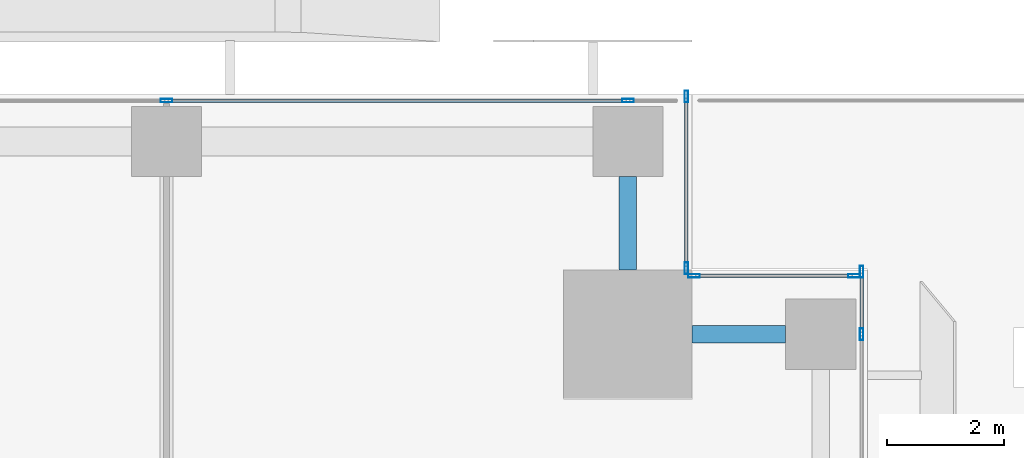
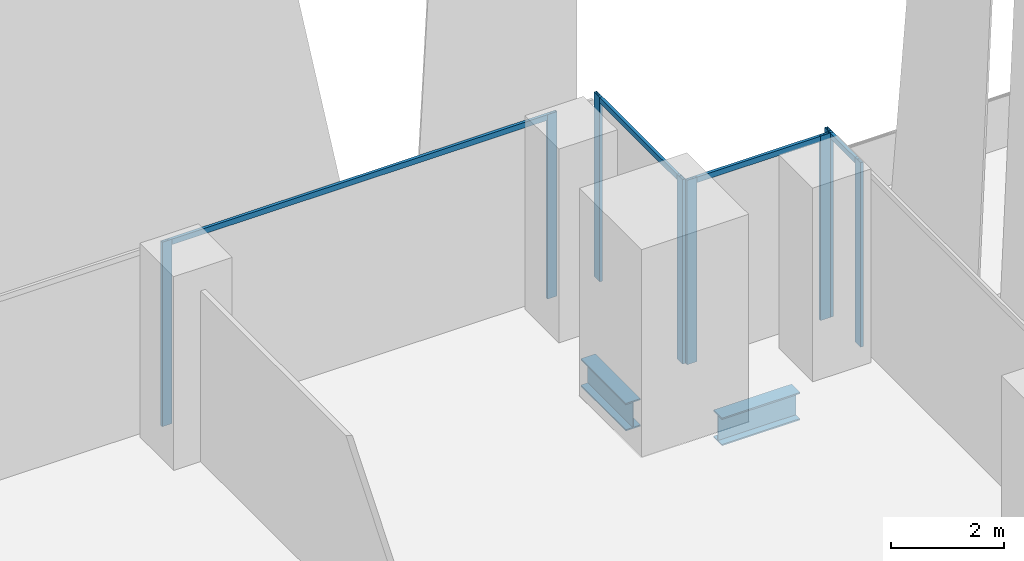
# One storey, part 23 of 46: 12 members, 2 beams, 4 elements without a shape of their own.
"""IFC4 building model written with IfcOpenShell, lengths in metres."""

from ifc_helpers import new_model, si_unit, direction, frame, origin, origin_2d, place, context, subcontext, project, spatial, hollow_rectangle, i_section, extrude, source, transform, mapped, material, material_profile, profile_set, type_object, element, aggregate, save


model = new_model("IFC4")

# Units and contexts
model_context = context("Model", 3, precision=1e-05, world=origin(), true_north=direction((0.0, 1.0)))
body_context = subcontext(model_context, "Body", "Model", "MODEL_VIEW")
ifc_project = project(units=[si_unit("LENGTHUNIT", "METRE"), si_unit("AREAUNIT", "SQUARE_METRE"), si_unit("VOLUMEUNIT", "CUBIC_METRE"), si_unit("PLANEANGLEUNIT", "RADIAN"), si_unit("MASSUNIT", "GRAM", prefix="KILO")], contexts=[model_context])

# Site, building, storey
site_placement = place(None, origin())
site = spatial("IfcSite", under=ifc_project, at=site_placement, CompositionType="ELEMENT")
building_placement = place(site_placement, origin())
building = spatial("IfcBuilding", under=site, at=building_placement, Name="Khomas Fold Tower", CompositionType="ELEMENT")
storey_placement = place(building_placement, frame((0.0, 0.0, 33.0)))
storey = spatial("IfcBuildingStorey", under=building, at=storey_placement, Name="L06", CompositionType="ELEMENT", Elevation=33.0)

# Beams
ifc_material_1 = material(Name="Steel S355", Category="steel")
ifc_material_profile_1 = material_profile(ifc_material_1, i_section(OverallWidth=0.300048828125, OverallDepth=0.60009765625, WebThickness=0.015380859375, FlangeThickness=0.030029296875, at=origin_2d()), Name="HE 600 B")
ifc_profile_set_1 = profile_set([ifc_material_profile_1], Name="Steel S355")
beam_type = type_object("IfcBeamType", Name="HE 600 B spandrel SB1", PredefinedType="SPANDREL", material=ifc_profile_set_1)
shared_shape_1 = source(origin(), body_context, "Body", "SweptSolid", [
    extrude(i_section(OverallWidth=0.300048828125, OverallDepth=0.60009765625, WebThickness=0.015380859375, FlangeThickness=0.030029296875, at=origin_2d()), origin(), (0.0, 0.0, 1.0), 1.60009765625),
])
for number, where, z_axis, x_axis, name in (
    (1, (51.0, 49.89990234375, -0.800048828125), (1.0, 0.0, 0.0), (0.0, 1.0, 0.0), "SB1"),
    (2, (49.89990234375, 51.0, -0.800048828125), (0.0, 1.0, 0.0), (-1.0, 0.0, 0.0), "SB1"),
):
    element("IfcBeam", number, at=place(storey_placement, frame(where, z_axis=z_axis, x_axis=x_axis)), inside=storey, type_object=beam_type, Name=name, PredefinedType="SPANDREL", context=body_context, shape_type="MappedRepresentation", body=[
        mapped(shared_shape_1, transform((0.0, 0.0, 0.0))),
    ])

# Curtain wall, members
ifc_material_2 = material(Name="Aluminium framed double glazing", Category="aluminium")
curtain_wall_type = type_object("IfcCurtainWallType", Name="SK-Unitised clear-glass wall, growing floors CW1", PredefinedType="NOTDEFINED", material=ifc_material_2)
curtain_wall_1_placement = place(storey_placement, origin())
curtain_wall_1 = element("IfcCurtainWall", 3, at=curtain_wall_1_placement, inside=storey, type_object=curtain_wall_type, Name="CW1 run L06 03-1", PredefinedType="NOTDEFINED")
ifc_material_3 = material(Name="Aluminium", Category="aluminium")
ifc_material_profile_2 = material_profile(ifc_material_3, hollow_rectangle(XDim=0.06005859375, YDim=0.199951171875, WallThickness=0.00390625, at=origin_2d()), Name="SK-Unitised clear-glass wall, growing floors mullion CW1-M")
ifc_profile_set_2 = profile_set([ifc_material_profile_2], Name="Aluminium")
member_type_1 = type_object("IfcMemberType", Name="SK-Unitised clear-glass wall, growing floors mullion CW1-M", PredefinedType="MULLION", material=ifc_profile_set_2)
shared_shape_2 = source(origin(), body_context, "Body", "SweptSolid", [
    extrude(hollow_rectangle(XDim=0.06005859375, YDim=0.199951171875, WallThickness=0.00390625, at=origin_2d()), origin(), (0.0, 0.0, 1.0), 4.0),
])
member_1_placement = place(storey_placement, frame((53.89990234375, 49.89990234375, 0.0), z_axis=(0.0, 0.0, 1.0), x_axis=(-1.0, 0.0, 0.0)))
member_1 = element("IfcMember", 4, at=member_1_placement, type_object=member_type_1, Name="CW1 mullion 5", PredefinedType="MULLION", context=body_context, shape_type="MappedRepresentation", body=[
    mapped(shared_shape_2, transform((0.0, 0.0, 0.0))),
])
member_2_placement = place(storey_placement, frame((53.89990234375, 50.969970703125, 0.0), z_axis=(0.0, 0.0, 1.0), x_axis=(-1.0, 0.0, 0.0)))
member_2 = element("IfcMember", 5, at=member_2_placement, type_object=member_type_1, Name="CW1 mullion 6", PredefinedType="MULLION", context=body_context, shape_type="MappedRepresentation", body=[
    mapped(shared_shape_2, transform((0.0, 0.0, 0.0))),
])

curtain_wall_2_placement = place(storey_placement, origin())
curtain_wall_2 = element("IfcCurtainWall", 6, at=curtain_wall_2_placement, inside=storey, type_object=curtain_wall_type, Name="CW1 corner return L06 04", PredefinedType="NOTDEFINED")
member_3_placement = place(storey_placement, frame((53.77001953125, 50.89990234375, 0.0), z_axis=(0.0, 0.0, 1.0), x_axis=(0.0, -1.0, 0.0)))
member_3 = element("IfcMember", 7, at=member_3_placement, type_object=member_type_1, Name="CW1 mullion 1", PredefinedType="MULLION", context=body_context, shape_type="MappedRepresentation", body=[
    mapped(shared_shape_2, transform((0.0, 0.0, 0.0))),
])
member_4_placement = place(storey_placement, frame((51.030029296875, 50.89990234375, 0.0), z_axis=(0.0, 0.0, 1.0), x_axis=(0.0, -1.0, 0.0)))
member_4 = element("IfcMember", 8, at=member_4_placement, type_object=member_type_1, Name="CW1 mullion 2", PredefinedType="MULLION", context=body_context, shape_type="MappedRepresentation", body=[
    mapped(shared_shape_2, transform((0.0, 0.0, 0.0))),
])

curtain_wall_3_placement = place(storey_placement, origin())
curtain_wall_3 = element("IfcCurtainWall", 9, at=curtain_wall_3_placement, inside=storey, type_object=curtain_wall_type, Name="CW1 corner return L06 05", PredefinedType="NOTDEFINED")
member_5_placement = place(storey_placement, frame((50.89990234375, 51.030029296875, 0.0), z_axis=(0.0, 0.0, 1.0), x_axis=(-1.0, 0.0, 0.0)))
member_5 = element("IfcMember", 10, at=member_5_placement, type_object=member_type_1, Name="CW1 mullion 1", PredefinedType="MULLION", context=body_context, shape_type="MappedRepresentation", body=[
    mapped(shared_shape_2, transform((0.0, 0.0, 0.0))),
])
member_6_placement = place(storey_placement, frame((50.89990234375, 53.969970703125, 0.0), z_axis=(0.0, 0.0, 1.0), x_axis=(-1.0, 0.0, 0.0)))
member_6 = element("IfcMember", 11, at=member_6_placement, type_object=member_type_1, Name="CW1 mullion 2", PredefinedType="MULLION", context=body_context, shape_type="MappedRepresentation", body=[
    mapped(shared_shape_2, transform((0.0, 0.0, 0.0))),
])

curtain_wall_4_placement = place(storey_placement, origin())
curtain_wall_4 = element("IfcCurtainWall", 12, at=curtain_wall_4_placement, inside=storey, type_object=curtain_wall_type, Name="CW1 run L06 06-0", PredefinedType="NOTDEFINED")
member_7_placement = place(storey_placement, frame((49.89990234375, 53.89990234375, 0.0), z_axis=(0.0, 0.0, 1.0), x_axis=(0.0, -1.0, 0.0)))
member_7 = element("IfcMember", 13, at=member_7_placement, type_object=member_type_1, Name="CW1 mullion 2", PredefinedType="MULLION", context=body_context, shape_type="MappedRepresentation", body=[
    mapped(shared_shape_2, transform((0.0, 0.0, 0.0))),
])
member_8_placement = place(storey_placement, frame((42.0, 53.89990234375, 0.0), z_axis=(0.0, 0.0, 1.0), x_axis=(0.0, -1.0, 0.0)))
member_8 = element("IfcMember", 14, at=member_8_placement, type_object=member_type_1, Name="CW1 mullion 3", PredefinedType="MULLION", context=body_context, shape_type="MappedRepresentation", body=[
    mapped(shared_shape_2, transform((0.0, 0.0, 0.0))),
])
ifc_material_4 = material(Name="Aluminium", Category="aluminium")
ifc_material_profile_3 = material_profile(ifc_material_4, hollow_rectangle(XDim=0.06005859375, YDim=0.1201171875, WallThickness=0.00390625, at=origin_2d()), Name="SK-Unitised clear-glass wall, growing floors transom CW1-T")
ifc_profile_set_3 = profile_set([ifc_material_profile_3], Name="Aluminium")
member_type_2 = type_object("IfcMemberType", Name="SK-Unitised clear-glass wall, growing floors transom CW1-T", PredefinedType="USERDEFINED", material=ifc_profile_set_3)
shared_shape_3 = source(origin(), body_context, "Body", "SweptSolid", [
    extrude(hollow_rectangle(XDim=0.06005859375, YDim=0.1201171875, WallThickness=0.00390625, at=origin_2d()), origin(), (0.0, 0.0, 1.0), 7.840087890625),
])
member_9_placement = place(storey_placement, frame((49.8701171875, 53.89990234375, 3.93994140625), z_axis=(-1.0, 0.0, 0.0), x_axis=(0.0, -1.0, 0.0)))
member_9 = element("IfcMember", 15, at=member_9_placement, type_object=member_type_2, Name="CW1 transom 2", ObjectType="TRANSOM", PredefinedType="USERDEFINED", context=body_context, shape_type="MappedRepresentation", body=[
    mapped(shared_shape_3, transform((0.0, 0.0, 0.0))),
])
aggregate(curtain_wall_4, [member_7, member_8, member_9])

# Member
shared_shape_4 = source(origin(), body_context, "Body", "SweptSolid", [
    extrude(hollow_rectangle(XDim=0.06005859375, YDim=0.1201171875, WallThickness=0.00390625, at=origin_2d()), origin(), (0.0, 0.0, 1.0), 1.010009765625),
])
member_10_placement = place(storey_placement, frame((53.89990234375, 49.929931640625, 3.93994140625), z_axis=(0.0, 1.0, 0.0), x_axis=(-1.0, 0.0, 0.0)))
member_10 = element("IfcMember", 16, at=member_10_placement, type_object=member_type_2, Name="CW1 transom 5", ObjectType="TRANSOM", PredefinedType="USERDEFINED", context=body_context, shape_type="MappedRepresentation", body=[
    mapped(shared_shape_4, transform((0.0, 0.0, 0.0))),
])

aggregate(curtain_wall_1, [member_1, member_2, member_10])

shared_shape_5 = source(origin(), body_context, "Body", "SweptSolid", [
    extrude(hollow_rectangle(XDim=0.06005859375, YDim=0.1201171875, WallThickness=0.00390625, at=origin_2d()), origin(), (0.0, 0.0, 1.0), 2.679931640625),
])
member_11_placement = place(storey_placement, frame((53.739990234375, 50.89990234375, 3.93994140625), z_axis=(-1.0, 0.0, 0.0), x_axis=(0.0, -1.0, 0.0)))
member_11 = element("IfcMember", 17, at=member_11_placement, type_object=member_type_2, Name="CW1 transom 1", ObjectType="TRANSOM", PredefinedType="USERDEFINED", context=body_context, shape_type="MappedRepresentation", body=[
    mapped(shared_shape_5, transform((0.0, 0.0, 0.0))),
])

aggregate(curtain_wall_2, [member_3, member_4, member_11])

shared_shape_6 = source(origin(), body_context, "Body", "SweptSolid", [
    extrude(hollow_rectangle(XDim=0.06005859375, YDim=0.1201171875, WallThickness=0.00390625, at=origin_2d()), origin(), (0.0, 0.0, 1.0), 2.8798828125),
])
member_12_placement = place(storey_placement, frame((50.89990234375, 51.06005859375, 3.93994140625), z_axis=(0.0, 1.0, 0.0), x_axis=(-1.0, 0.0, 0.0)))
member_12 = element("IfcMember", 18, at=member_12_placement, type_object=member_type_2, Name="CW1 transom 1", ObjectType="TRANSOM", PredefinedType="USERDEFINED", context=body_context, shape_type="MappedRepresentation", body=[
    mapped(shared_shape_6, transform((0.0, 0.0, 0.0))),
])

aggregate(curtain_wall_3, [member_5, member_6, member_12])

save(model, "model.ifc")
